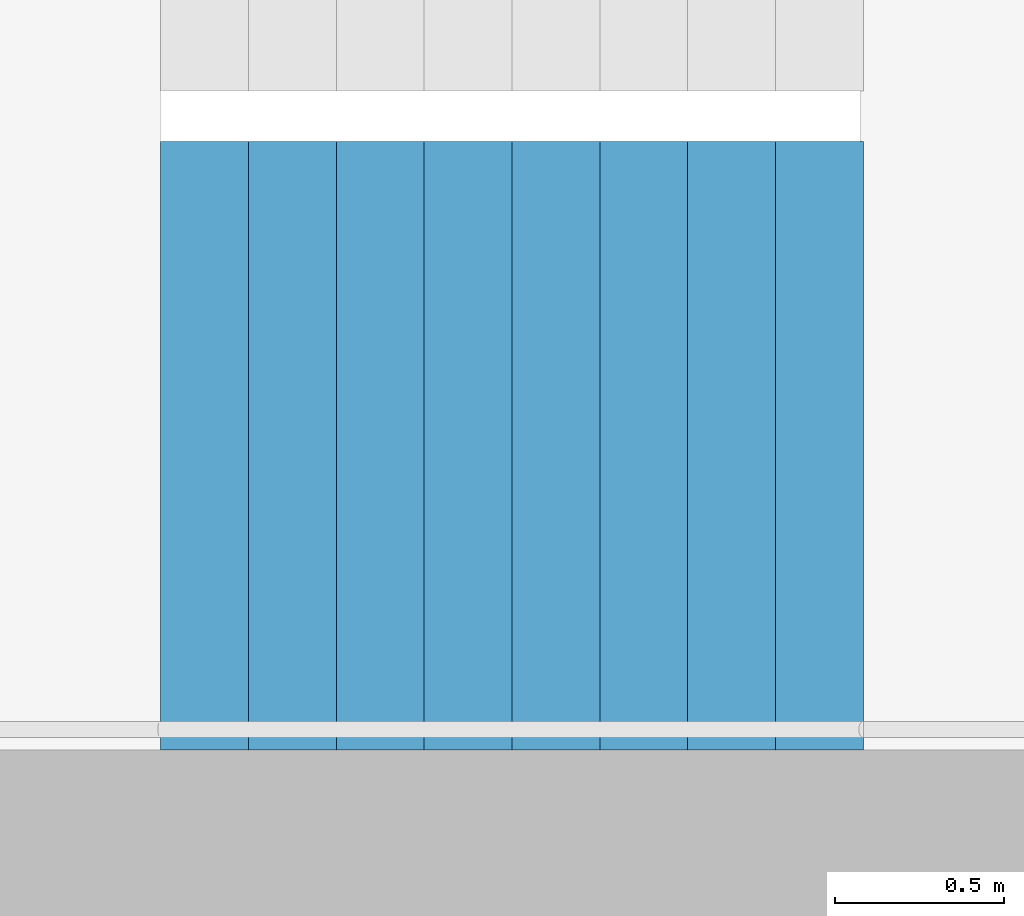
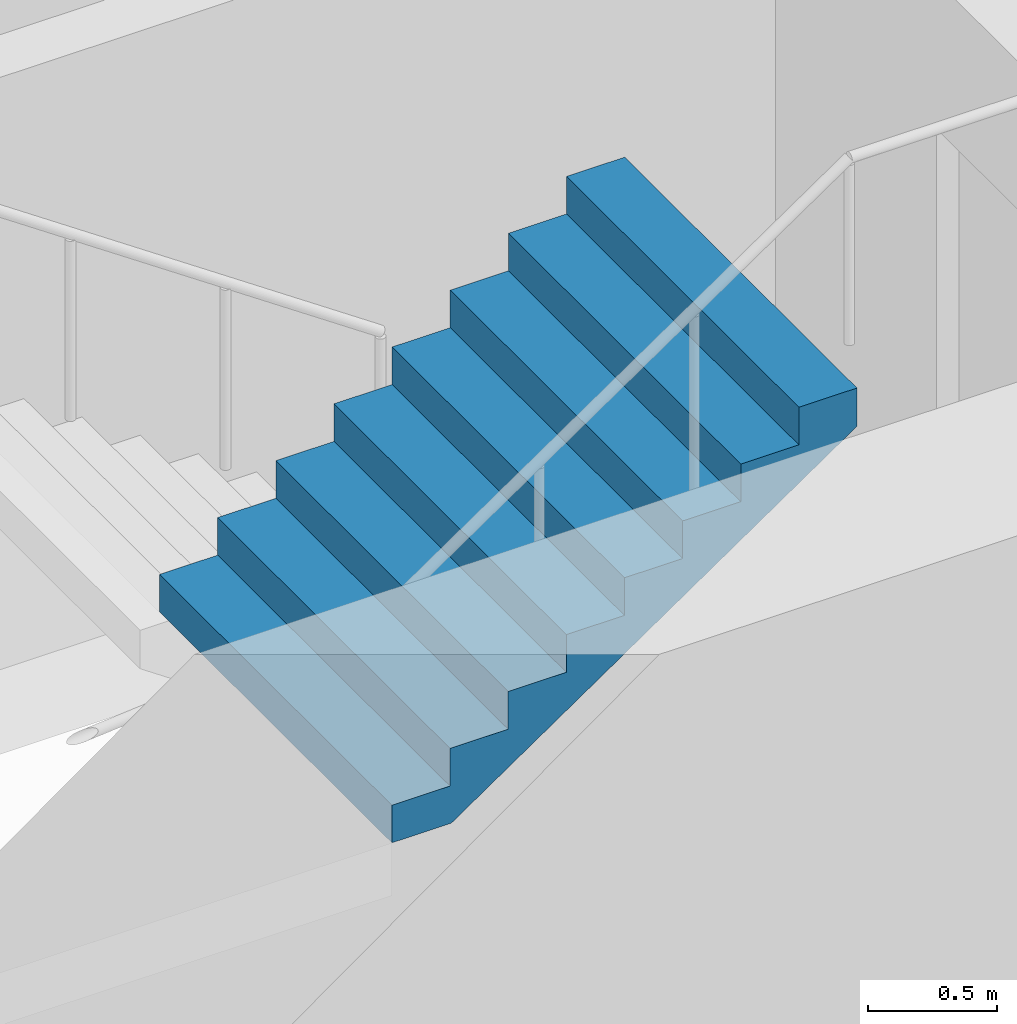
# One storey, part 20 of 28: 1 stair flight, 1 element without a shape of its own.
"""IFC4 building model written with IfcOpenShell, lengths in metres."""

from ifc_helpers import new_model, si_unit, direction, frame, origin, place, context, subcontext, project, spatial, triangles, material, type_object, element, aggregate, save


model = new_model("IFC4")

# Units and contexts
model_context = context("Model", 3, precision=1e-05, world=origin(), true_north=direction((0.0, 1.0)))
body_context = subcontext(model_context, "Body", "Model", "MODEL_VIEW")
ifc_project = project(units=[si_unit("LENGTHUNIT", "METRE"), si_unit("AREAUNIT", "SQUARE_METRE"), si_unit("VOLUMEUNIT", "CUBIC_METRE"), si_unit("PLANEANGLEUNIT", "RADIAN"), si_unit("MASSUNIT", "GRAM", prefix="KILO")], contexts=[model_context])

# Site, building, storey
site_placement = place(None, origin())
site = spatial("IfcSite", under=ifc_project, at=site_placement, CompositionType="ELEMENT")
building_placement = place(site_placement, origin())
building = spatial("IfcBuilding", under=site, at=building_placement, Name="Hakoniwa Tower and Hamabe Station Hall", CompositionType="ELEMENT")
storey_placement = place(building_placement, frame((0.0, 0.0, 48.60009765625)))
storey = spatial("IfcBuildingStorey", under=building, at=storey_placement, Name="L13", CompositionType="ELEMENT", Elevation=48.60009765625)

# Stair, stair flight
ifc_material_1 = material(Name="Concrete C40", Category="concrete")
stair_type = type_object("IfcStairType", Name="ESCAPE STAIR 1800", PredefinedType="HALF_TURN_STAIR", material=ifc_material_1)
stair_placement = place(storey_placement, origin())
stair = element("IfcStair", 1, at=stair_placement, inside=storey, type_object=stair_type, Name="Escape stair ST-2 L13", PredefinedType="HALF_TURN_STAIR")
ifc_material_2 = material(Name="Concrete C40", Category="concrete")
stair_flight_type = type_object("IfcStairFlightType", Name="STAIR FLIGHT 1800", PredefinedType="STRAIGHT", material=ifc_material_2)
stair_flight_placement = place(storey_placement, frame((-25.47998046875, -6.60009765625, 1.599853515625), z_axis=(0.0, 0.0, 1.0), x_axis=(1.0, 0.0, 0.0)))
stair_flight = element("IfcStairFlight", 2, at=stair_flight_placement, type_object=stair_flight_type, Name="ST-2 flight 2", NumberOfRisers=9, NumberOfTreads=8, PredefinedType="STRAIGHT", RiserHeight=0.177777778, TreadLength=0.26, context=body_context, shape_type="Tessellation", body=[
    triangles([(0.0, 0.89990234375, 0.0), (0.260009765625, 0.89990234375, 0.0), (0.265625, 0.89990234375, 0.0), (0.52001953125, 0.89990234375, 0.174072265625), (0.780029296875, 0.89990234375, 0.351806640625), (1.0400390625, 0.89990234375, 0.529541015625), (1.300048828125, 0.89990234375, 0.707275390625), (1.56005859375, 0.89990234375, 0.885009765625), (1.820068359375, 0.89990234375, 1.062744140625), (2.080078125, 0.89990234375, 1.24072265625), (2.080078125, 0.89990234375, 1.422119140625), (1.820068359375, 0.89990234375, 1.422119140625), (1.820068359375, 0.89990234375, 1.244384765625), (1.56005859375, 0.89990234375, 1.244384765625), (1.56005859375, 0.89990234375, 1.066650390625), (1.300048828125, 0.89990234375, 1.066650390625), (1.300048828125, 0.89990234375, 0.888916015625), (1.0400390625, 0.89990234375, 0.888916015625), (1.0400390625, 0.89990234375, 0.711181640625), (0.780029296875, 0.89990234375, 0.711181640625), (0.780029296875, 0.89990234375, 0.533447265625), (0.52001953125, 0.89990234375, 0.533447265625), (0.52001953125, 0.89990234375, 0.35546875), (0.265625, 0.89990234375, 0.35546875), (0.260009765625, 0.89990234375, 0.35546875), (0.260009765625, 0.89990234375, 0.177734375), (0.0, 0.89990234375, 0.177734375), (0.0, 0.06005859375, 0.0), (0.260009765625, 0.06005859375, 0.0), (0.265625, 0.06005859375, 0.0), (0.52001953125, 0.06005859375, 0.174072265625), (0.780029296875, 0.06005859375, 0.351806640625), (1.0400390625, 0.06005859375, 0.529541015625), (1.300048828125, 0.06005859375, 0.707275390625), (1.56005859375, 0.06005859375, 0.885009765625), (1.820068359375, 0.06005859375, 1.062744140625), (2.080078125, 0.06005859375, 1.24072265625), (2.080078125, 0.06005859375, 1.422119140625), (1.820068359375, 0.06005859375, 1.422119140625), (1.820068359375, 0.06005859375, 1.244384765625), (1.56005859375, 0.06005859375, 1.244384765625), (1.56005859375, 0.06005859375, 1.066650390625), (1.300048828125, 0.06005859375, 1.066650390625), (1.300048828125, 0.06005859375, 0.888916015625), (1.0400390625, 0.06005859375, 0.888916015625), (1.0400390625, 0.06005859375, 0.711181640625), (0.780029296875, 0.06005859375, 0.711181640625), (0.780029296875, 0.06005859375, 0.533447265625), (0.52001953125, 0.06005859375, 0.533447265625), (0.52001953125, 0.06005859375, 0.35546875), (0.265625, 0.06005859375, 0.35546875), (0.260009765625, 0.06005859375, 0.35546875), (0.260009765625, 0.06005859375, 0.177734375), (0.0, 0.06005859375, 0.177734375), (0.0, 0.04296875, 0.0), (0.260009765625, 0.04296875, 0.0), (0.265625, 0.04296875, 0.0), (0.52001953125, 0.04296875, 0.174072265625), (0.780029296875, 0.04296875, 0.351806640625), (1.0400390625, 0.04296875, 0.529541015625), (1.300048828125, 0.04296875, 0.707275390625), (1.56005859375, 0.04296875, 0.885009765625), (1.820068359375, 0.04296875, 1.062744140625), (2.080078125, 0.04296875, 1.24072265625), (2.080078125, 0.04296875, 1.422119140625), (1.820068359375, 0.04296875, 1.422119140625), (1.820068359375, 0.04296875, 1.244384765625), (1.56005859375, 0.04296875, 1.244384765625), (1.56005859375, 0.04296875, 1.066650390625), (1.300048828125, 0.04296875, 1.066650390625), (1.300048828125, 0.04296875, 0.888916015625), (1.0400390625, 0.04296875, 0.888916015625), (1.0400390625, 0.04296875, 0.711181640625), (0.780029296875, 0.04296875, 0.711181640625), (0.780029296875, 0.04296875, 0.533447265625), (0.52001953125, 0.04296875, 0.533447265625), (0.52001953125, 0.04296875, 0.35546875), (0.265625, 0.04296875, 0.35546875), (0.260009765625, 0.04296875, 0.35546875), (0.260009765625, 0.04296875, 0.177734375), (0.0, 0.04296875, 0.177734375), (0.0, 0.025634765625, 0.0), (0.260009765625, 0.025634765625, 0.0), (0.265625, 0.025634765625, 0.0), (0.52001953125, 0.025634765625, 0.174072265625), (0.780029296875, 0.025634765625, 0.351806640625), (1.0400390625, 0.025634765625, 0.529541015625), (1.300048828125, 0.025634765625, 0.707275390625), (1.56005859375, 0.025634765625, 0.885009765625), (1.820068359375, 0.025634765625, 1.062744140625), (2.080078125, 0.025634765625, 1.24072265625), (2.080078125, 0.025634765625, 1.422119140625), (1.820068359375, 0.025634765625, 1.422119140625), (1.820068359375, 0.025634765625, 1.244384765625), (1.56005859375, 0.025634765625, 1.244384765625), (1.56005859375, 0.025634765625, 1.066650390625), (1.300048828125, 0.025634765625, 1.066650390625), (1.300048828125, 0.025634765625, 0.888916015625), (1.0400390625, 0.025634765625, 0.888916015625), (1.0400390625, 0.025634765625, 0.711181640625), (0.780029296875, 0.025634765625, 0.711181640625), (0.780029296875, 0.025634765625, 0.533447265625), (0.52001953125, 0.025634765625, 0.533447265625), (0.52001953125, 0.025634765625, 0.35546875), (0.265625, 0.025634765625, 0.35546875), (0.260009765625, 0.025634765625, 0.35546875), (0.260009765625, 0.025634765625, 0.177734375), (0.0, 0.025634765625, 0.177734375), (0.0, 0.008544921875, 0.0), (0.260009765625, 0.008544921875, 0.0), (0.265625, 0.008544921875, 0.0), (0.52001953125, 0.008544921875, 0.174072265625), (0.780029296875, 0.008544921875, 0.351806640625), (1.0400390625, 0.008544921875, 0.529541015625), (1.300048828125, 0.008544921875, 0.707275390625), (1.56005859375, 0.008544921875, 0.885009765625), (1.820068359375, 0.008544921875, 1.062744140625), (2.080078125, 0.008544921875, 1.24072265625), (2.080078125, 0.008544921875, 1.422119140625), (1.820068359375, 0.008544921875, 1.422119140625), (1.820068359375, 0.008544921875, 1.244384765625), (1.56005859375, 0.008544921875, 1.244384765625), (1.56005859375, 0.008544921875, 1.066650390625), (1.300048828125, 0.008544921875, 1.066650390625), (1.300048828125, 0.008544921875, 0.888916015625), (1.0400390625, 0.008544921875, 0.888916015625), (1.0400390625, 0.008544921875, 0.711181640625), (0.780029296875, 0.008544921875, 0.711181640625), (0.780029296875, 0.008544921875, 0.533447265625), (0.52001953125, 0.008544921875, 0.533447265625), (0.52001953125, 0.008544921875, 0.35546875), (0.265625, 0.008544921875, 0.35546875), (0.260009765625, 0.008544921875, 0.35546875), (0.260009765625, 0.008544921875, 0.177734375), (0.0, 0.008544921875, 0.177734375), (0.0, -0.008544921875, 0.0), (0.260009765625, -0.008544921875, 0.0), (0.265625, -0.008544921875, 0.0), (0.52001953125, -0.008544921875, 0.174072265625), (0.780029296875, -0.008544921875, 0.351806640625), (1.0400390625, -0.008544921875, 0.529541015625), (1.300048828125, -0.008544921875, 0.707275390625), (1.56005859375, -0.008544921875, 0.885009765625), (1.820068359375, -0.008544921875, 1.062744140625), (2.080078125, -0.008544921875, 1.24072265625), (2.080078125, -0.008544921875, 1.422119140625), (1.820068359375, -0.008544921875, 1.422119140625), (1.820068359375, -0.008544921875, 1.244384765625), (1.56005859375, -0.008544921875, 1.244384765625), (1.56005859375, -0.008544921875, 1.066650390625), (1.300048828125, -0.008544921875, 1.066650390625), (1.300048828125, -0.008544921875, 0.888916015625), (1.0400390625, -0.008544921875, 0.888916015625), (1.0400390625, -0.008544921875, 0.711181640625), (0.780029296875, -0.008544921875, 0.711181640625), (0.780029296875, -0.008544921875, 0.533447265625), (0.52001953125, -0.008544921875, 0.533447265625), (0.52001953125, -0.008544921875, 0.35546875), (0.265625, -0.008544921875, 0.35546875), (0.260009765625, -0.008544921875, 0.35546875), (0.260009765625, -0.008544921875, 0.177734375), (0.0, -0.008544921875, 0.177734375), (0.0, -0.025634765625, 0.0), (0.260009765625, -0.025634765625, 0.0), (0.265625, -0.025634765625, 0.0), (0.52001953125, -0.025634765625, 0.174072265625), (0.780029296875, -0.025634765625, 0.351806640625), (1.0400390625, -0.025634765625, 0.529541015625), (1.300048828125, -0.025634765625, 0.707275390625), (1.56005859375, -0.025634765625, 0.885009765625), (1.820068359375, -0.025634765625, 1.062744140625), (2.080078125, -0.025634765625, 1.24072265625), (2.080078125, -0.025634765625, 1.422119140625), (1.820068359375, -0.025634765625, 1.422119140625), (1.820068359375, -0.025634765625, 1.244384765625), (1.56005859375, -0.025634765625, 1.244384765625), (1.56005859375, -0.025634765625, 1.066650390625), (1.300048828125, -0.025634765625, 1.066650390625), (1.300048828125, -0.025634765625, 0.888916015625), (1.0400390625, -0.025634765625, 0.888916015625), (1.0400390625, -0.025634765625, 0.711181640625), (0.780029296875, -0.025634765625, 0.711181640625), (0.780029296875, -0.025634765625, 0.533447265625), (0.52001953125, -0.025634765625, 0.533447265625), (0.52001953125, -0.025634765625, 0.35546875), (0.265625, -0.025634765625, 0.35546875), (0.260009765625, -0.025634765625, 0.35546875), (0.260009765625, -0.025634765625, 0.177734375), (0.0, -0.025634765625, 0.177734375), (0.0, -0.04296875, 0.0), (0.260009765625, -0.04296875, 0.0), (0.265625, -0.04296875, 0.0), (0.52001953125, -0.04296875, 0.174072265625), (0.780029296875, -0.04296875, 0.351806640625), (1.0400390625, -0.04296875, 0.529541015625), (1.300048828125, -0.04296875, 0.707275390625), (1.56005859375, -0.04296875, 0.885009765625), (1.820068359375, -0.04296875, 1.062744140625), (2.080078125, -0.04296875, 1.24072265625), (2.080078125, -0.04296875, 1.422119140625), (1.820068359375, -0.04296875, 1.422119140625), (1.820068359375, -0.04296875, 1.244384765625), (1.56005859375, -0.04296875, 1.244384765625), (1.56005859375, -0.04296875, 1.066650390625), (1.300048828125, -0.04296875, 1.066650390625), (1.300048828125, -0.04296875, 0.888916015625), (1.0400390625, -0.04296875, 0.888916015625), (1.0400390625, -0.04296875, 0.711181640625), (0.780029296875, -0.04296875, 0.711181640625), (0.780029296875, -0.04296875, 0.533447265625), (0.52001953125, -0.04296875, 0.533447265625), (0.52001953125, -0.04296875, 0.35546875), (0.265625, -0.04296875, 0.35546875), (0.260009765625, -0.04296875, 0.35546875), (0.260009765625, -0.04296875, 0.177734375), (0.0, -0.04296875, 0.177734375), (0.0, -0.06005859375, 0.0), (0.260009765625, -0.06005859375, 0.0), (0.265625, -0.06005859375, 0.0), (0.52001953125, -0.06005859375, 0.174072265625), (0.780029296875, -0.06005859375, 0.351806640625), (1.0400390625, -0.06005859375, 0.529541015625), (1.300048828125, -0.06005859375, 0.707275390625), (1.56005859375, -0.06005859375, 0.885009765625), (1.820068359375, -0.06005859375, 1.062744140625), (2.080078125, -0.06005859375, 1.24072265625), (2.080078125, -0.06005859375, 1.422119140625), (1.820068359375, -0.06005859375, 1.422119140625), (1.820068359375, -0.06005859375, 1.244384765625), (1.56005859375, -0.06005859375, 1.244384765625), (1.56005859375, -0.06005859375, 1.066650390625), (1.300048828125, -0.06005859375, 1.066650390625), (1.300048828125, -0.06005859375, 0.888916015625), (1.0400390625, -0.06005859375, 0.888916015625), (1.0400390625, -0.06005859375, 0.711181640625), (0.780029296875, -0.06005859375, 0.711181640625), (0.780029296875, -0.06005859375, 0.533447265625), (0.52001953125, -0.06005859375, 0.533447265625), (0.52001953125, -0.06005859375, 0.35546875), (0.265625, -0.06005859375, 0.35546875), (0.260009765625, -0.06005859375, 0.35546875), (0.260009765625, -0.06005859375, 0.177734375), (0.0, -0.06005859375, 0.177734375), (0.0, -0.89990234375, 0.0), (0.260009765625, -0.89990234375, 0.0), (0.265625, -0.89990234375, 0.0), (0.52001953125, -0.89990234375, 0.174072265625), (0.780029296875, -0.89990234375, 0.351806640625), (1.0400390625, -0.89990234375, 0.529541015625), (1.300048828125, -0.89990234375, 0.707275390625), (1.56005859375, -0.89990234375, 0.885009765625), (1.820068359375, -0.89990234375, 1.062744140625), (2.080078125, -0.89990234375, 1.24072265625), (2.080078125, -0.89990234375, 1.422119140625), (1.820068359375, -0.89990234375, 1.422119140625), (1.820068359375, -0.89990234375, 1.244384765625), (1.56005859375, -0.89990234375, 1.244384765625), (1.56005859375, -0.89990234375, 1.066650390625), (1.300048828125, -0.89990234375, 1.066650390625), (1.300048828125, -0.89990234375, 0.888916015625), (1.0400390625, -0.89990234375, 0.888916015625), (1.0400390625, -0.89990234375, 0.711181640625), (0.780029296875, -0.89990234375, 0.711181640625), (0.780029296875, -0.89990234375, 0.533447265625), (0.52001953125, -0.89990234375, 0.533447265625), (0.52001953125, -0.89990234375, 0.35546875), (0.265625, -0.89990234375, 0.35546875), (0.260009765625, -0.89990234375, 0.35546875), (0.260009765625, -0.89990234375, 0.177734375), (0.0, -0.89990234375, 0.177734375)], [[2, 27, 26], [245, 269, 270], [2, 1, 27], [245, 270, 244], [3, 25, 24], [246, 267, 268], [3, 26, 25], [246, 268, 269], [3, 2, 26], [246, 269, 245], [4, 24, 23], [247, 266, 267], [4, 3, 24], [247, 267, 246], [5, 22, 21], [248, 264, 265], [5, 23, 22], [248, 265, 266], [5, 4, 23], [248, 266, 247], [6, 20, 19], [249, 262, 263], [6, 21, 20], [249, 263, 264], [6, 5, 21], [249, 264, 248], [7, 18, 17], [250, 260, 261], [7, 19, 18], [250, 261, 262], [7, 6, 19], [250, 262, 249], [8, 16, 15], [251, 258, 259], [8, 17, 16], [251, 259, 260], [8, 7, 17], [251, 260, 250], [9, 14, 13], [252, 256, 257], [9, 15, 14], [252, 257, 258], [9, 8, 15], [252, 258, 251], [10, 12, 11], [253, 254, 255], [10, 13, 12], [253, 255, 256], [10, 9, 13], [253, 256, 252], [1, 2, 29], [1, 29, 28], [28, 29, 56], [28, 56, 55], [55, 56, 83], [55, 83, 82], [82, 83, 110], [82, 110, 109], [109, 110, 137], [109, 137, 136], [136, 137, 164], [136, 164, 163], [163, 164, 191], [163, 191, 190], [190, 191, 218], [190, 218, 217], [217, 218, 245], [217, 245, 244], [2, 3, 30], [2, 30, 29], [29, 30, 57], [29, 57, 56], [56, 57, 84], [56, 84, 83], [83, 84, 111], [83, 111, 110], [110, 111, 138], [110, 138, 137], [137, 138, 165], [137, 165, 164], [164, 165, 192], [164, 192, 191], [191, 192, 219], [191, 219, 218], [218, 219, 246], [218, 246, 245], [3, 4, 31], [3, 31, 30], [30, 31, 58], [30, 58, 57], [57, 58, 85], [57, 85, 84], [84, 85, 112], [84, 112, 111], [111, 112, 139], [111, 139, 138], [138, 139, 166], [138, 166, 165], [165, 166, 193], [165, 193, 192], [192, 193, 220], [192, 220, 219], [219, 220, 247], [219, 247, 246], [4, 5, 32], [4, 32, 31], [31, 32, 59], [31, 59, 58], [58, 59, 86], [58, 86, 85], [85, 86, 113], [85, 113, 112], [112, 113, 140], [112, 140, 139], [139, 140, 167], [139, 167, 166], [166, 167, 194], [166, 194, 193], [193, 194, 221], [193, 221, 220], [220, 221, 248], [220, 248, 247], [5, 6, 33], [5, 33, 32], [32, 33, 60], [32, 60, 59], [59, 60, 87], [59, 87, 86], [86, 87, 114], [86, 114, 113], [113, 114, 141], [113, 141, 140], [140, 141, 168], [140, 168, 167], [167, 168, 195], [167, 195, 194], [194, 195, 222], [194, 222, 221], [221, 222, 249], [221, 249, 248], [6, 7, 34], [6, 34, 33], [33, 34, 61], [33, 61, 60], [60, 61, 88], [60, 88, 87], [87, 88, 115], [87, 115, 114], [114, 115, 142], [114, 142, 141], [141, 142, 169], [141, 169, 168], [168, 169, 196], [168, 196, 195], [195, 196, 223], [195, 223, 222], [222, 223, 250], [222, 250, 249], [7, 8, 35], [7, 35, 34], [34, 35, 62], [34, 62, 61], [61, 62, 89], [61, 89, 88], [88, 89, 116], [88, 116, 115], [115, 116, 143], [115, 143, 142], [142, 143, 170], [142, 170, 169], [169, 170, 197], [169, 197, 196], [196, 197, 224], [196, 224, 223], [223, 224, 251], [223, 251, 250], [8, 9, 36], [8, 36, 35], [35, 36, 63], [35, 63, 62], [62, 63, 90], [62, 90, 89], [89, 90, 117], [89, 117, 116], [116, 117, 144], [116, 144, 143], [143, 144, 171], [143, 171, 170], [170, 171, 198], [170, 198, 197], [197, 198, 225], [197, 225, 224], [224, 225, 252], [224, 252, 251], [9, 10, 37], [9, 37, 36], [36, 37, 64], [36, 64, 63], [63, 64, 91], [63, 91, 90], [90, 91, 118], [90, 118, 117], [117, 118, 145], [117, 145, 144], [144, 145, 172], [144, 172, 171], [171, 172, 199], [171, 199, 198], [198, 199, 226], [198, 226, 225], [225, 226, 253], [225, 253, 252], [10, 11, 38], [10, 38, 37], [37, 38, 65], [37, 65, 64], [64, 65, 92], [64, 92, 91], [91, 92, 119], [91, 119, 118], [118, 119, 146], [118, 146, 145], [145, 146, 173], [145, 173, 172], [172, 173, 200], [172, 200, 199], [199, 200, 227], [199, 227, 226], [226, 227, 254], [226, 254, 253], [11, 12, 39], [11, 39, 38], [38, 39, 66], [38, 66, 65], [65, 66, 93], [65, 93, 92], [92, 93, 120], [92, 120, 119], [119, 120, 147], [119, 147, 146], [146, 147, 174], [146, 174, 173], [173, 174, 201], [173, 201, 200], [200, 201, 228], [200, 228, 227], [227, 228, 255], [227, 255, 254], [12, 13, 40], [12, 40, 39], [39, 40, 67], [39, 67, 66], [66, 67, 94], [66, 94, 93], [93, 94, 121], [93, 121, 120], [120, 121, 148], [120, 148, 147], [147, 148, 175], [147, 175, 174], [174, 175, 202], [174, 202, 201], [201, 202, 229], [201, 229, 228], [228, 229, 256], [228, 256, 255], [13, 14, 41], [13, 41, 40], [40, 41, 68], [40, 68, 67], [67, 68, 95], [67, 95, 94], [94, 95, 122], [94, 122, 121], [121, 122, 149], [121, 149, 148], [148, 149, 176], [148, 176, 175], [175, 176, 203], [175, 203, 202], [202, 203, 230], [202, 230, 229], [229, 230, 257], [229, 257, 256], [14, 15, 42], [14, 42, 41], [41, 42, 69], [41, 69, 68], [68, 69, 96], [68, 96, 95], [95, 96, 123], [95, 123, 122], [122, 123, 150], [122, 150, 149], [149, 150, 177], [149, 177, 176], [176, 177, 204], [176, 204, 203], [203, 204, 231], [203, 231, 230], [230, 231, 258], [230, 258, 257], [15, 16, 43], [15, 43, 42], [42, 43, 70], [42, 70, 69], [69, 70, 97], [69, 97, 96], [96, 97, 124], [96, 124, 123], [123, 124, 151], [123, 151, 150], [150, 151, 178], [150, 178, 177], [177, 178, 205], [177, 205, 204], [204, 205, 232], [204, 232, 231], [231, 232, 259], [231, 259, 258], [16, 17, 44], [16, 44, 43], [43, 44, 71], [43, 71, 70], [70, 71, 98], [70, 98, 97], [97, 98, 125], [97, 125, 124], [124, 125, 152], [124, 152, 151], [151, 152, 179], [151, 179, 178], [178, 179, 206], [178, 206, 205], [205, 206, 233], [205, 233, 232], [232, 233, 260], [232, 260, 259], [17, 18, 45], [17, 45, 44], [44, 45, 72], [44, 72, 71], [71, 72, 99], [71, 99, 98], [98, 99, 126], [98, 126, 125], [125, 126, 153], [125, 153, 152], [152, 153, 180], [152, 180, 179], [179, 180, 207], [179, 207, 206], [206, 207, 234], [206, 234, 233], [233, 234, 261], [233, 261, 260], [18, 19, 46], [18, 46, 45], [45, 46, 73], [45, 73, 72], [72, 73, 100], [72, 100, 99], [99, 100, 127], [99, 127, 126], [126, 127, 154], [126, 154, 153], [153, 154, 181], [153, 181, 180], [180, 181, 208], [180, 208, 207], [207, 208, 235], [207, 235, 234], [234, 235, 262], [234, 262, 261], [19, 20, 47], [19, 47, 46], [46, 47, 74], [46, 74, 73], [73, 74, 101], [73, 101, 100], [100, 101, 128], [100, 128, 127], [127, 128, 155], [127, 155, 154], [154, 155, 182], [154, 182, 181], [181, 182, 209], [181, 209, 208], [208, 209, 236], [208, 236, 235], [235, 236, 263], [235, 263, 262], [20, 21, 48], [20, 48, 47], [47, 48, 75], [47, 75, 74], [74, 75, 102], [74, 102, 101], [101, 102, 129], [101, 129, 128], [128, 129, 156], [128, 156, 155], [155, 156, 183], [155, 183, 182], [182, 183, 210], [182, 210, 209], [209, 210, 237], [209, 237, 236], [236, 237, 264], [236, 264, 263], [21, 22, 49], [21, 49, 48], [48, 49, 76], [48, 76, 75], [75, 76, 103], [75, 103, 102], [102, 103, 130], [102, 130, 129], [129, 130, 157], [129, 157, 156], [156, 157, 184], [156, 184, 183], [183, 184, 211], [183, 211, 210], [210, 211, 238], [210, 238, 237], [237, 238, 265], [237, 265, 264], [22, 23, 50], [22, 50, 49], [49, 50, 77], [49, 77, 76], [76, 77, 104], [76, 104, 103], [103, 104, 131], [103, 131, 130], [130, 131, 158], [130, 158, 157], [157, 158, 185], [157, 185, 184], [184, 185, 212], [184, 212, 211], [211, 212, 239], [211, 239, 238], [238, 239, 266], [238, 266, 265], [23, 24, 51], [23, 51, 50], [50, 51, 78], [50, 78, 77], [77, 78, 105], [77, 105, 104], [104, 105, 132], [104, 132, 131], [131, 132, 159], [131, 159, 158], [158, 159, 186], [158, 186, 185], [185, 186, 213], [185, 213, 212], [212, 213, 240], [212, 240, 239], [239, 240, 267], [239, 267, 266], [24, 25, 52], [24, 52, 51], [51, 52, 79], [51, 79, 78], [78, 79, 106], [78, 106, 105], [105, 106, 133], [105, 133, 132], [132, 133, 160], [132, 160, 159], [159, 160, 187], [159, 187, 186], [186, 187, 214], [186, 214, 213], [213, 214, 241], [213, 241, 240], [240, 241, 268], [240, 268, 267], [25, 26, 53], [25, 53, 52], [52, 53, 80], [52, 80, 79], [79, 80, 107], [79, 107, 106], [106, 107, 134], [106, 134, 133], [133, 134, 161], [133, 161, 160], [160, 161, 188], [160, 188, 187], [187, 188, 215], [187, 215, 214], [214, 215, 242], [214, 242, 241], [241, 242, 269], [241, 269, 268], [26, 27, 54], [26, 54, 53], [53, 54, 81], [53, 81, 80], [80, 81, 108], [80, 108, 107], [107, 108, 135], [107, 135, 134], [134, 135, 162], [134, 162, 161], [161, 162, 189], [161, 189, 188], [188, 189, 216], [188, 216, 215], [215, 216, 243], [215, 243, 242], [242, 243, 270], [242, 270, 269], [27, 1, 28], [27, 28, 54], [54, 28, 55], [54, 55, 81], [81, 55, 82], [81, 82, 108], [108, 82, 109], [108, 109, 135], [135, 109, 136], [135, 136, 162], [162, 136, 163], [162, 163, 189], [189, 163, 190], [189, 190, 216], [216, 190, 217], [216, 217, 243], [243, 217, 244], [243, 244, 270]], closed=True),
])
aggregate(stair, [stair_flight])

save(model, "model.ifc")
